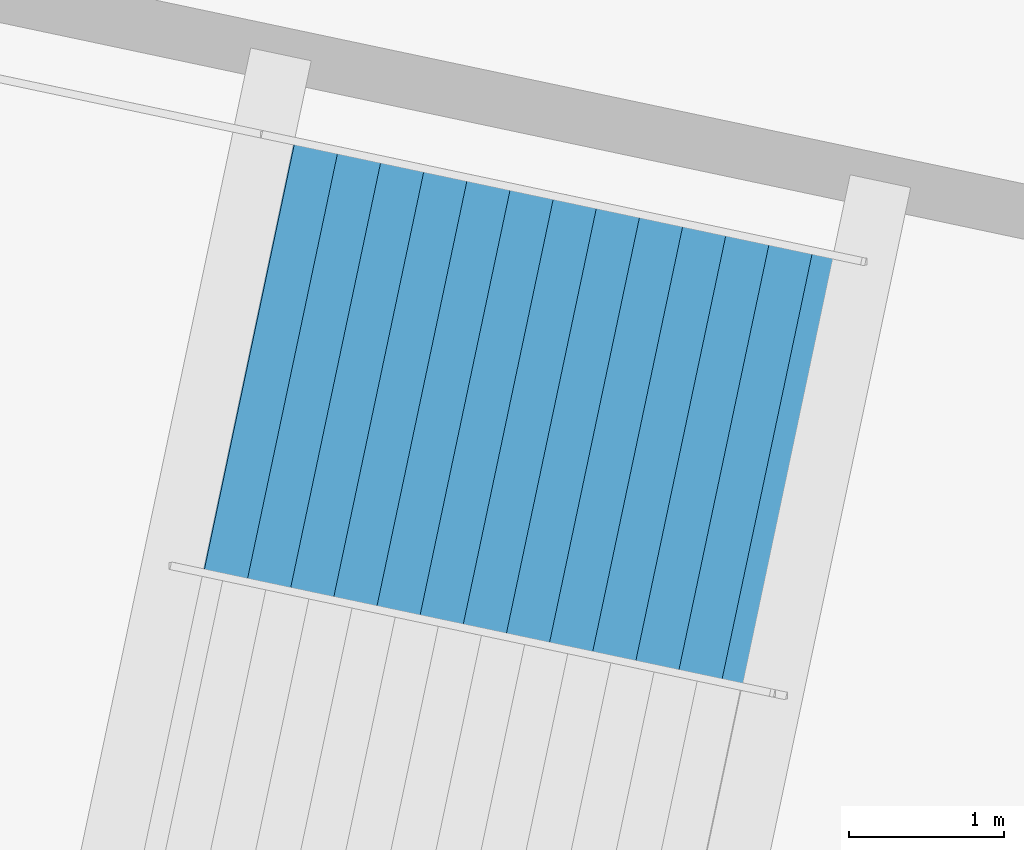
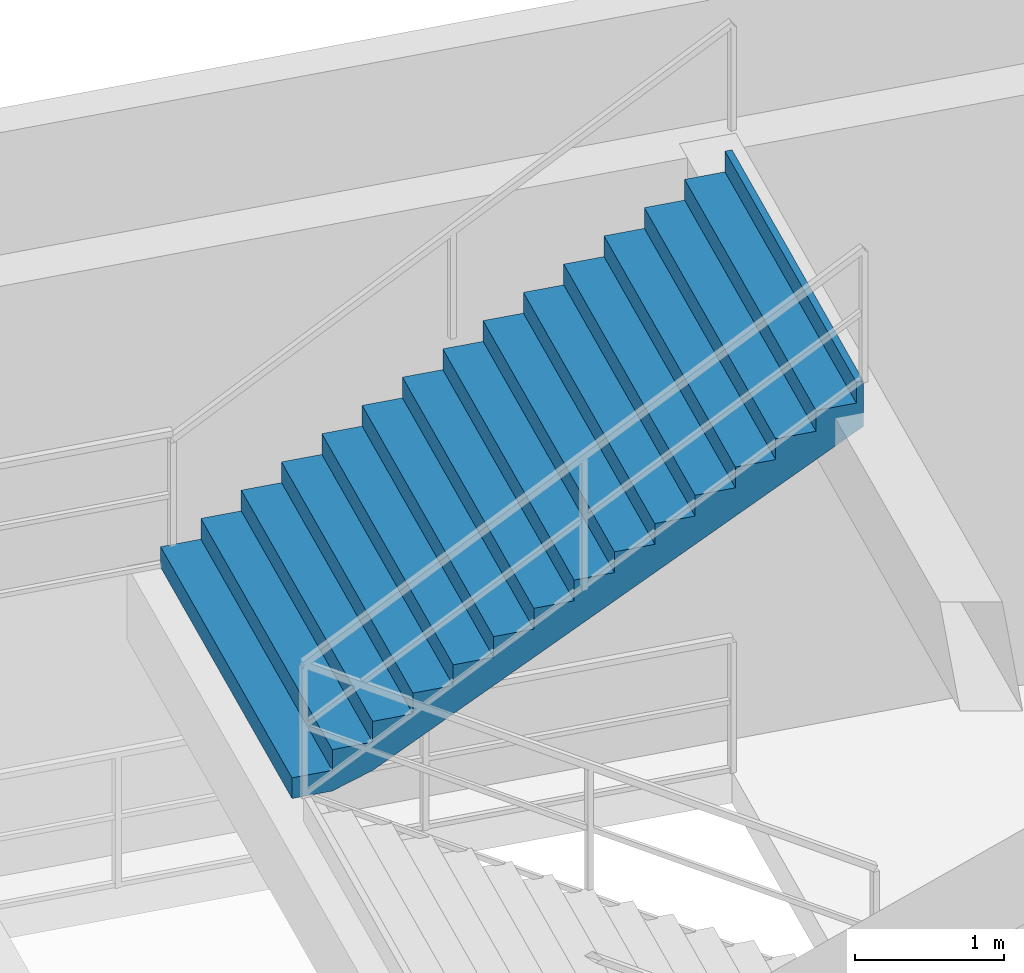
# One storey, part 176 of 184: 1 stair flight, 1 element without a shape of its own.
"""IFC4 building model written with IfcOpenShell, lengths in metres."""

from ifc_helpers import new_model, si_unit, direction, frame, origin, place, context, subcontext, project, spatial, polygons, material, type_object, element, aggregate, save


model = new_model("IFC4")

# Units and contexts
model_context = context("Model", 3, precision=1e-05, world=origin(), true_north=direction((0.0, 1.0)))
body_context = subcontext(model_context, "Body", "Model", "MODEL_VIEW")
ifc_project = project(units=[si_unit("LENGTHUNIT", "METRE"), si_unit("AREAUNIT", "SQUARE_METRE"), si_unit("VOLUMEUNIT", "CUBIC_METRE"), si_unit("PLANEANGLEUNIT", "RADIAN"), si_unit("MASSUNIT", "GRAM", prefix="KILO")], contexts=[model_context])

# Site, building, storey
site_placement = place(None, origin())
site = spatial("IfcSite", under=ifc_project, at=site_placement, CompositionType="ELEMENT")
building_placement = place(site_placement, origin())
building = spatial("IfcBuilding", under=site, at=building_placement, Name="Kazemori Nagisa Stadium", CompositionType="ELEMENT")
storey_placement = place(building_placement, frame((0.0, 0.0, 10.5400390625)))
storey = spatial("IfcBuildingStorey", under=building, at=storey_placement, Name="L02", CompositionType="ELEMENT", Elevation=10.5400390625)

# Stair, stair flight
ifc_material = material(Name="Concrete C36/45 (Fc36)", Category="concrete")
stair_type = type_object("IfcStairType", Name="Stair_CORE_30", PredefinedType="TWO_STRAIGHT_RUN_STAIR", material=ifc_material)
stair_placement = place(storey_placement, origin())
stair = element("IfcStair", 1, at=stair_placement, inside=storey, type_object=stair_type, Name="Exit stair ST11 L02", PredefinedType="TWO_STRAIGHT_RUN_STAIR")
stair_flight_type = type_object("IfcStairFlightType", Name="Flight_CORE_15", PredefinedType="STRAIGHT", material=ifc_material)
stair_flight_placement = place(storey_placement, frame((154.81103515625, 180.105224609375, 2.550048828125), z_axis=(0.0, 0.0, 1.0), x_axis=(0.978343508406, -0.206987872979, 0.0)))
stair_flight = element("IfcStairFlight", 2, at=stair_flight_placement, type_object=stair_flight_type, Name="Exit stair ST11 L02 flight 2", NumberOfRisers=15, NumberOfTreads=14, PredefinedType="STRAIGHT", RiserHeight=0.17, TreadLength=0.285, context=body_context, shape_type="Tessellation", body=[
    polygons([(0.0, -1.425048828125, 0.0), (0.0, -1.425048828125, 0.169921875), (0.284912109375, -1.425048828125, 0.169921875), (0.284912109375, -1.425048828125, 0.340087890625), (0.570068359375, -1.425048828125, 0.340087890625), (0.570068359375, -1.425048828125, 0.510009765625), (0.85498046875, -1.425048828125, 0.510009765625), (0.85498046875, -1.425048828125, 0.679931640625), (1.139892578125, -1.425048828125, 0.679931640625), (1.139892578125, -1.425048828125, 0.85009765625), (1.425048828125, -1.425048828125, 0.85009765625), (1.425048828125, -1.425048828125, 1.02001953125), (1.7099609375, -1.425048828125, 1.02001953125), (1.7099609375, -1.425048828125, 1.18994140625), (1.9951171875, -1.425048828125, 1.18994140625), (1.9951171875, -1.425048828125, 1.360107421875), (2.280029296875, -1.425048828125, 1.360107421875), (2.280029296875, -1.425048828125, 1.530029296875), (2.56494140625, -1.425048828125, 1.530029296875), (2.56494140625, -1.425048828125, 1.699951171875), (2.85009765625, -1.425048828125, 1.699951171875), (2.85009765625, -1.425048828125, 1.8701171875), (3.135009765625, -1.425048828125, 1.8701171875), (3.135009765625, -1.425048828125, 2.0400390625), (3.419921875, -1.425048828125, 2.0400390625), (3.419921875, -1.425048828125, 2.2099609375), (3.705078125, -1.425048828125, 2.2099609375), (3.705078125, -1.425048828125, 2.3798828125), (3.989990234375, -1.425048828125, 2.3798828125), (3.989990234375, -1.425048828125, 2.550048828125), (4.0400390625, -1.425048828125, 2.550048828125), (4.0400390625, -1.425048828125, 2.177001953125), (3.989990234375, -1.425048828125, 2.147216796875), (3.705078125, -1.425048828125, 1.977294921875), (3.419921875, -1.425048828125, 1.80712890625), (3.135009765625, -1.425048828125, 1.63720703125), (2.85009765625, -1.425048828125, 1.46728515625), (2.56494140625, -1.425048828125, 1.297119140625), (2.280029296875, -1.425048828125, 1.127197265625), (1.9951171875, -1.425048828125, 0.957275390625), (1.7099609375, -1.425048828125, 0.787109375), (1.425048828125, -1.425048828125, 0.6171875), (1.139892578125, -1.425048828125, 0.447265625), (0.85498046875, -1.425048828125, 0.277099609375), (0.570068359375, -1.425048828125, 0.107177734375), (0.284912109375, -1.425048828125, 0.0), (0.0, -0.08544921875, 0.0), (0.0, -0.08544921875, 0.169921875), (0.284912109375, -0.08544921875, 0.169921875), (0.284912109375, -0.08544921875, 0.340087890625), (0.570068359375, -0.08544921875, 0.340087890625), (0.570068359375, -0.08544921875, 0.510009765625), (0.85498046875, -0.08544921875, 0.510009765625), (0.85498046875, -0.08544921875, 0.679931640625), (1.139892578125, -0.08544921875, 0.679931640625), (1.139892578125, -0.08544921875, 0.85009765625), (1.425048828125, -0.08544921875, 0.85009765625), (1.425048828125, -0.08544921875, 1.02001953125), (1.7099609375, -0.08544921875, 1.02001953125), (1.7099609375, -0.08544921875, 1.18994140625), (1.9951171875, -0.08544921875, 1.18994140625), (1.9951171875, -0.08544921875, 1.360107421875), (2.280029296875, -0.08544921875, 1.360107421875), (2.280029296875, -0.08544921875, 1.530029296875), (2.56494140625, -0.08544921875, 1.530029296875), (2.56494140625, -0.08544921875, 1.699951171875), (2.85009765625, -0.08544921875, 1.699951171875), (2.85009765625, -0.08544921875, 1.8701171875), (3.135009765625, -0.08544921875, 1.8701171875), (3.135009765625, -0.08544921875, 2.0400390625), (3.419921875, -0.08544921875, 2.0400390625), (3.419921875, -0.08544921875, 2.2099609375), (3.705078125, -0.08544921875, 2.2099609375), (3.705078125, -0.08544921875, 2.3798828125), (3.989990234375, -0.08544921875, 2.3798828125), (3.989990234375, -0.08544921875, 2.550048828125), (4.0400390625, -0.08544921875, 2.550048828125), (4.0400390625, -0.08544921875, 2.177001953125), (3.989990234375, -0.08544921875, 2.147216796875), (3.705078125, -0.08544921875, 1.977294921875), (3.419921875, -0.08544921875, 1.80712890625), (3.135009765625, -0.08544921875, 1.63720703125), (2.85009765625, -0.08544921875, 1.46728515625), (2.56494140625, -0.08544921875, 1.297119140625), (2.280029296875, -0.08544921875, 1.127197265625), (1.9951171875, -0.08544921875, 0.957275390625), (1.7099609375, -0.08544921875, 0.787109375), (1.425048828125, -0.08544921875, 0.6171875), (1.139892578125, -0.08544921875, 0.447265625), (0.85498046875, -0.08544921875, 0.277099609375), (0.570068359375, -0.08544921875, 0.107177734375), (0.284912109375, -0.08544921875, 0.0), (0.0, 0.0, 0.0), (0.0, 0.0, 0.169921875), (0.284912109375, 0.0, 0.169921875), (0.284912109375, 0.0, 0.340087890625), (0.570068359375, 0.0, 0.340087890625), (0.570068359375, 0.0, 0.510009765625), (0.85498046875, 0.0, 0.510009765625), (0.85498046875, 0.0, 0.679931640625), (1.139892578125, 0.0, 0.679931640625), (1.139892578125, 0.0, 0.85009765625), (1.425048828125, 0.0, 0.85009765625), (1.425048828125, 0.0, 1.02001953125), (1.7099609375, 0.0, 1.02001953125), (1.7099609375, 0.0, 1.18994140625), (1.9951171875, 0.0, 1.18994140625), (1.9951171875, 0.0, 1.360107421875), (2.280029296875, 0.0, 1.360107421875), (2.280029296875, 0.0, 1.530029296875), (2.56494140625, 0.0, 1.530029296875), (2.56494140625, 0.0, 1.699951171875), (2.85009765625, 0.0, 1.699951171875), (2.85009765625, 0.0, 1.8701171875), (3.135009765625, 0.0, 1.8701171875), (3.135009765625, 0.0, 2.0400390625), (3.419921875, 0.0, 2.0400390625), (3.419921875, 0.0, 2.2099609375), (3.705078125, 0.0, 2.2099609375), (3.705078125, 0.0, 2.3798828125), (3.989990234375, 0.0, 2.3798828125), (3.989990234375, 0.0, 2.550048828125), (4.0400390625, 0.0, 2.550048828125), (4.0400390625, 0.0, 2.177001953125), (3.989990234375, 0.0, 2.147216796875), (3.705078125, 0.0, 1.977294921875), (3.419921875, 0.0, 1.80712890625), (3.135009765625, 0.0, 1.63720703125), (2.85009765625, 0.0, 1.46728515625), (2.56494140625, 0.0, 1.297119140625), (2.280029296875, 0.0, 1.127197265625), (1.9951171875, 0.0, 0.957275390625), (1.7099609375, 0.0, 0.787109375), (1.425048828125, 0.0, 0.6171875), (1.139892578125, 0.0, 0.447265625), (0.85498046875, 0.0, 0.277099609375), (0.570068359375, 0.0, 0.107177734375), (0.284912109375, 0.0, 0.0), (0.0, 0.08544921875, 0.0), (0.0, 0.08544921875, 0.169921875), (0.284912109375, 0.08544921875, 0.169921875), (0.284912109375, 0.08544921875, 0.340087890625), (0.570068359375, 0.08544921875, 0.340087890625), (0.570068359375, 0.08544921875, 0.510009765625), (0.85498046875, 0.08544921875, 0.510009765625), (0.85498046875, 0.08544921875, 0.679931640625), (1.139892578125, 0.08544921875, 0.679931640625), (1.139892578125, 0.08544921875, 0.85009765625), (1.425048828125, 0.08544921875, 0.85009765625), (1.425048828125, 0.08544921875, 1.02001953125), (1.7099609375, 0.08544921875, 1.02001953125), (1.7099609375, 0.08544921875, 1.18994140625), (1.9951171875, 0.08544921875, 1.18994140625), (1.9951171875, 0.08544921875, 1.360107421875), (2.280029296875, 0.08544921875, 1.360107421875), (2.280029296875, 0.08544921875, 1.530029296875), (2.56494140625, 0.08544921875, 1.530029296875), (2.56494140625, 0.08544921875, 1.699951171875), (2.85009765625, 0.08544921875, 1.699951171875), (2.85009765625, 0.08544921875, 1.8701171875), (3.135009765625, 0.08544921875, 1.8701171875), (3.135009765625, 0.08544921875, 2.0400390625), (3.419921875, 0.08544921875, 2.0400390625), (3.419921875, 0.08544921875, 2.2099609375), (3.705078125, 0.08544921875, 2.2099609375), (3.705078125, 0.08544921875, 2.3798828125), (3.989990234375, 0.08544921875, 2.3798828125), (3.989990234375, 0.08544921875, 2.550048828125), (4.0400390625, 0.08544921875, 2.550048828125), (4.0400390625, 0.08544921875, 2.177001953125), (3.989990234375, 0.08544921875, 2.147216796875), (3.705078125, 0.08544921875, 1.977294921875), (3.419921875, 0.08544921875, 1.80712890625), (3.135009765625, 0.08544921875, 1.63720703125), (2.85009765625, 0.08544921875, 1.46728515625), (2.56494140625, 0.08544921875, 1.297119140625), (2.280029296875, 0.08544921875, 1.127197265625), (1.9951171875, 0.08544921875, 0.957275390625), (1.7099609375, 0.08544921875, 0.787109375), (1.425048828125, 0.08544921875, 0.6171875), (1.139892578125, 0.08544921875, 0.447265625), (0.85498046875, 0.08544921875, 0.277099609375), (0.570068359375, 0.08544921875, 0.107177734375), (0.284912109375, 0.08544921875, 0.0), (0.0, 1.425048828125, 0.0), (0.0, 1.425048828125, 0.169921875), (0.284912109375, 1.425048828125, 0.169921875), (0.284912109375, 1.425048828125, 0.340087890625), (0.570068359375, 1.425048828125, 0.340087890625), (0.570068359375, 1.425048828125, 0.510009765625), (0.85498046875, 1.425048828125, 0.510009765625), (0.85498046875, 1.425048828125, 0.679931640625), (1.139892578125, 1.425048828125, 0.679931640625), (1.139892578125, 1.425048828125, 0.85009765625), (1.425048828125, 1.425048828125, 0.85009765625), (1.425048828125, 1.425048828125, 1.02001953125), (1.7099609375, 1.425048828125, 1.02001953125), (1.7099609375, 1.425048828125, 1.18994140625), (1.9951171875, 1.425048828125, 1.18994140625), (1.9951171875, 1.425048828125, 1.360107421875), (2.280029296875, 1.425048828125, 1.360107421875), (2.280029296875, 1.425048828125, 1.530029296875), (2.56494140625, 1.425048828125, 1.530029296875), (2.56494140625, 1.425048828125, 1.699951171875), (2.85009765625, 1.425048828125, 1.699951171875), (2.85009765625, 1.425048828125, 1.8701171875), (3.135009765625, 1.425048828125, 1.8701171875), (3.135009765625, 1.425048828125, 2.0400390625), (3.419921875, 1.425048828125, 2.0400390625), (3.419921875, 1.425048828125, 2.2099609375), (3.705078125, 1.425048828125, 2.2099609375), (3.705078125, 1.425048828125, 2.3798828125), (3.989990234375, 1.425048828125, 2.3798828125), (3.989990234375, 1.425048828125, 2.550048828125), (4.0400390625, 1.425048828125, 2.550048828125), (4.0400390625, 1.425048828125, 2.177001953125), (3.989990234375, 1.425048828125, 2.147216796875), (3.705078125, 1.425048828125, 1.977294921875), (3.419921875, 1.425048828125, 1.80712890625), (3.135009765625, 1.425048828125, 1.63720703125), (2.85009765625, 1.425048828125, 1.46728515625), (2.56494140625, 1.425048828125, 1.297119140625), (2.280029296875, 1.425048828125, 1.127197265625), (1.9951171875, 1.425048828125, 0.957275390625), (1.7099609375, 1.425048828125, 0.787109375), (1.425048828125, 1.425048828125, 0.6171875), (1.139892578125, 1.425048828125, 0.447265625), (0.85498046875, 1.425048828125, 0.277099609375), (0.570068359375, 1.425048828125, 0.107177734375), (0.284912109375, 1.425048828125, 0.0)], [[[1, 2, 48]], [[1, 48, 47]], [[2, 3, 49]], [[2, 49, 48]], [[3, 4, 50]], [[3, 50, 49]], [[4, 5, 51]], [[4, 51, 50]], [[5, 6, 52]], [[5, 52, 51]], [[6, 7, 53]], [[6, 53, 52]], [[7, 8, 54]], [[7, 54, 53]], [[8, 9, 55]], [[8, 55, 54]], [[9, 10, 56]], [[9, 56, 55]], [[10, 11, 57]], [[10, 57, 56]], [[11, 12, 58]], [[11, 58, 57]], [[12, 13, 59]], [[12, 59, 58]], [[13, 14, 60]], [[13, 60, 59]], [[14, 15, 61]], [[14, 61, 60]], [[15, 16, 62]], [[15, 62, 61]], [[16, 17, 63]], [[16, 63, 62]], [[17, 18, 64]], [[17, 64, 63]], [[18, 19, 65]], [[18, 65, 64]], [[19, 20, 66]], [[19, 66, 65]], [[20, 21, 67]], [[20, 67, 66]], [[21, 22, 68]], [[21, 68, 67]], [[22, 23, 69]], [[22, 69, 68]], [[23, 24, 70]], [[23, 70, 69]], [[24, 25, 71]], [[24, 71, 70]], [[25, 26, 72]], [[25, 72, 71]], [[26, 27, 73]], [[26, 73, 72]], [[27, 28, 74]], [[27, 74, 73]], [[28, 29, 75]], [[28, 75, 74]], [[29, 30, 76]], [[29, 76, 75]], [[30, 31, 77]], [[30, 77, 76]], [[31, 32, 78]], [[31, 78, 77]], [[32, 33, 79]], [[32, 79, 78]], [[33, 34, 80]], [[33, 80, 79]], [[34, 35, 81]], [[34, 81, 80]], [[35, 36, 82]], [[35, 82, 81]], [[36, 37, 83]], [[36, 83, 82]], [[37, 38, 84]], [[37, 84, 83]], [[38, 39, 85]], [[38, 85, 84]], [[39, 40, 86]], [[39, 86, 85]], [[40, 41, 87]], [[40, 87, 86]], [[41, 42, 88]], [[41, 88, 87]], [[42, 43, 89]], [[42, 89, 88]], [[43, 44, 90]], [[43, 90, 89]], [[44, 45, 91]], [[44, 91, 90]], [[45, 46, 92]], [[45, 92, 91]], [[46, 1, 47]], [[46, 47, 92]], [[47, 48, 94]], [[47, 94, 93]], [[48, 49, 95]], [[48, 95, 94]], [[49, 50, 96]], [[49, 96, 95]], [[50, 51, 97]], [[50, 97, 96]], [[51, 52, 98]], [[51, 98, 97]], [[52, 53, 99]], [[52, 99, 98]], [[53, 54, 100]], [[53, 100, 99]], [[54, 55, 101]], [[54, 101, 100]], [[55, 56, 102]], [[55, 102, 101]], [[56, 57, 103]], [[56, 103, 102]], [[57, 58, 104]], [[57, 104, 103]], [[58, 59, 105]], [[58, 105, 104]], [[59, 60, 106]], [[59, 106, 105]], [[60, 61, 107]], [[60, 107, 106]], [[61, 62, 108]], [[61, 108, 107]], [[62, 63, 109]], [[62, 109, 108]], [[63, 64, 110]], [[63, 110, 109]], [[64, 65, 111]], [[64, 111, 110]], [[65, 66, 112]], [[65, 112, 111]], [[66, 67, 113]], [[66, 113, 112]], [[67, 68, 114]], [[67, 114, 113]], [[68, 69, 115]], [[68, 115, 114]], [[69, 70, 116]], [[69, 116, 115]], [[70, 71, 117]], [[70, 117, 116]], [[71, 72, 118]], [[71, 118, 117]], [[72, 73, 119]], [[72, 119, 118]], [[73, 74, 120]], [[73, 120, 119]], [[74, 75, 121]], [[74, 121, 120]], [[75, 76, 122]], [[75, 122, 121]], [[76, 77, 123]], [[76, 123, 122]], [[77, 78, 124]], [[77, 124, 123]], [[78, 79, 125]], [[78, 125, 124]], [[79, 80, 126]], [[79, 126, 125]], [[80, 81, 127]], [[80, 127, 126]], [[81, 82, 128]], [[81, 128, 127]], [[82, 83, 129]], [[82, 129, 128]], [[83, 84, 130]], [[83, 130, 129]], [[84, 85, 131]], [[84, 131, 130]], [[85, 86, 132]], [[85, 132, 131]], [[86, 87, 133]], [[86, 133, 132]], [[87, 88, 134]], [[87, 134, 133]], [[88, 89, 135]], [[88, 135, 134]], [[89, 90, 136]], [[89, 136, 135]], [[90, 91, 137]], [[90, 137, 136]], [[91, 92, 138]], [[91, 138, 137]], [[92, 47, 93]], [[92, 93, 138]], [[93, 94, 140]], [[93, 140, 139]], [[94, 95, 141]], [[94, 141, 140]], [[95, 96, 142]], [[95, 142, 141]], [[96, 97, 143]], [[96, 143, 142]], [[97, 98, 144]], [[97, 144, 143]], [[98, 99, 145]], [[98, 145, 144]], [[99, 100, 146]], [[99, 146, 145]], [[100, 101, 147]], [[100, 147, 146]], [[101, 102, 148]], [[101, 148, 147]], [[102, 103, 149]], [[102, 149, 148]], [[103, 104, 150]], [[103, 150, 149]], [[104, 105, 151]], [[104, 151, 150]], [[105, 106, 152]], [[105, 152, 151]], [[106, 107, 153]], [[106, 153, 152]], [[107, 108, 154]], [[107, 154, 153]], [[108, 109, 155]], [[108, 155, 154]], [[109, 110, 156]], [[109, 156, 155]], [[110, 111, 157]], [[110, 157, 156]], [[111, 112, 158]], [[111, 158, 157]], [[112, 113, 159]], [[112, 159, 158]], [[113, 114, 160]], [[113, 160, 159]], [[114, 115, 161]], [[114, 161, 160]], [[115, 116, 162]], [[115, 162, 161]], [[116, 117, 163]], [[116, 163, 162]], [[117, 118, 164]], [[117, 164, 163]], [[118, 119, 165]], [[118, 165, 164]], [[119, 120, 166]], [[119, 166, 165]], [[120, 121, 167]], [[120, 167, 166]], [[121, 122, 168]], [[121, 168, 167]], [[122, 123, 169]], [[122, 169, 168]], [[123, 124, 170]], [[123, 170, 169]], [[124, 125, 171]], [[124, 171, 170]], [[125, 126, 172]], [[125, 172, 171]], [[126, 127, 173]], [[126, 173, 172]], [[127, 128, 174]], [[127, 174, 173]], [[128, 129, 175]], [[128, 175, 174]], [[129, 130, 176]], [[129, 176, 175]], [[130, 131, 177]], [[130, 177, 176]], [[131, 132, 178]], [[131, 178, 177]], [[132, 133, 179]], [[132, 179, 178]], [[133, 134, 180]], [[133, 180, 179]], [[134, 135, 181]], [[134, 181, 180]], [[135, 136, 182]], [[135, 182, 181]], [[136, 137, 183]], [[136, 183, 182]], [[137, 138, 184]], [[137, 184, 183]], [[138, 93, 139]], [[138, 139, 184]], [[139, 140, 186]], [[139, 186, 185]], [[140, 141, 187]], [[140, 187, 186]], [[141, 142, 188]], [[141, 188, 187]], [[142, 143, 189]], [[142, 189, 188]], [[143, 144, 190]], [[143, 190, 189]], [[144, 145, 191]], [[144, 191, 190]], [[145, 146, 192]], [[145, 192, 191]], [[146, 147, 193]], [[146, 193, 192]], [[147, 148, 194]], [[147, 194, 193]], [[148, 149, 195]], [[148, 195, 194]], [[149, 150, 196]], [[149, 196, 195]], [[150, 151, 197]], [[150, 197, 196]], [[151, 152, 198]], [[151, 198, 197]], [[152, 153, 199]], [[152, 199, 198]], [[153, 154, 200]], [[153, 200, 199]], [[154, 155, 201]], [[154, 201, 200]], [[155, 156, 202]], [[155, 202, 201]], [[156, 157, 203]], [[156, 203, 202]], [[157, 158, 204]], [[157, 204, 203]], [[158, 159, 205]], [[158, 205, 204]], [[159, 160, 206]], [[159, 206, 205]], [[160, 161, 207]], [[160, 207, 206]], [[161, 162, 208]], [[161, 208, 207]], [[162, 163, 209]], [[162, 209, 208]], [[163, 164, 210]], [[163, 210, 209]], [[164, 165, 211]], [[164, 211, 210]], [[165, 166, 212]], [[165, 212, 211]], [[166, 167, 213]], [[166, 213, 212]], [[167, 168, 214]], [[167, 214, 213]], [[168, 169, 215]], [[168, 215, 214]], [[169, 170, 216]], [[169, 216, 215]], [[170, 171, 217]], [[170, 217, 216]], [[171, 172, 218]], [[171, 218, 217]], [[172, 173, 219]], [[172, 219, 218]], [[173, 174, 220]], [[173, 220, 219]], [[174, 175, 221]], [[174, 221, 220]], [[175, 176, 222]], [[175, 222, 221]], [[176, 177, 223]], [[176, 223, 222]], [[177, 178, 224]], [[177, 224, 223]], [[178, 179, 225]], [[178, 225, 224]], [[179, 180, 226]], [[179, 226, 225]], [[180, 181, 227]], [[180, 227, 226]], [[181, 182, 228]], [[181, 228, 227]], [[182, 183, 229]], [[182, 229, 228]], [[183, 184, 230]], [[183, 230, 229]], [[184, 139, 185]], [[184, 185, 230]], [[3, 2, 1]], [[185, 186, 187]], [[46, 3, 1]], [[185, 187, 230]], [[45, 3, 46]], [[230, 187, 229]], [[5, 3, 45]], [[229, 187, 189]], [[5, 4, 3]], [[187, 188, 189]], [[44, 5, 45]], [[229, 189, 228]], [[7, 5, 44]], [[228, 189, 191]], [[7, 6, 5]], [[189, 190, 191]], [[43, 7, 44]], [[228, 191, 227]], [[9, 7, 43]], [[227, 191, 193]], [[9, 8, 7]], [[191, 192, 193]], [[42, 9, 43]], [[227, 193, 226]], [[11, 9, 42]], [[226, 193, 195]], [[11, 10, 9]], [[193, 194, 195]], [[41, 11, 42]], [[226, 195, 225]], [[13, 11, 41]], [[225, 195, 197]], [[13, 12, 11]], [[195, 196, 197]], [[40, 13, 41]], [[225, 197, 224]], [[15, 13, 40]], [[224, 197, 199]], [[15, 14, 13]], [[197, 198, 199]], [[39, 15, 40]], [[224, 199, 223]], [[17, 15, 39]], [[223, 199, 201]], [[17, 16, 15]], [[199, 200, 201]], [[38, 17, 39]], [[223, 201, 222]], [[19, 17, 38]], [[222, 201, 203]], [[19, 18, 17]], [[201, 202, 203]], [[37, 19, 38]], [[222, 203, 221]], [[21, 19, 37]], [[221, 203, 205]], [[21, 20, 19]], [[203, 204, 205]], [[36, 21, 37]], [[221, 205, 220]], [[23, 21, 36]], [[220, 205, 207]], [[23, 22, 21]], [[205, 206, 207]], [[35, 23, 36]], [[220, 207, 219]], [[25, 23, 35]], [[219, 207, 209]], [[25, 24, 23]], [[207, 208, 209]], [[34, 25, 35]], [[219, 209, 218]], [[27, 25, 34]], [[218, 209, 211]], [[27, 26, 25]], [[209, 210, 211]], [[33, 27, 34]], [[218, 211, 217]], [[29, 27, 33]], [[217, 211, 213]], [[29, 28, 27]], [[211, 212, 213]], [[32, 29, 33]], [[217, 213, 216]], [[31, 29, 32]], [[216, 213, 215]], [[31, 30, 29]], [[213, 214, 215]]], closed=True),
])
aggregate(stair, [stair_flight])

save(model, "model.ifc")
